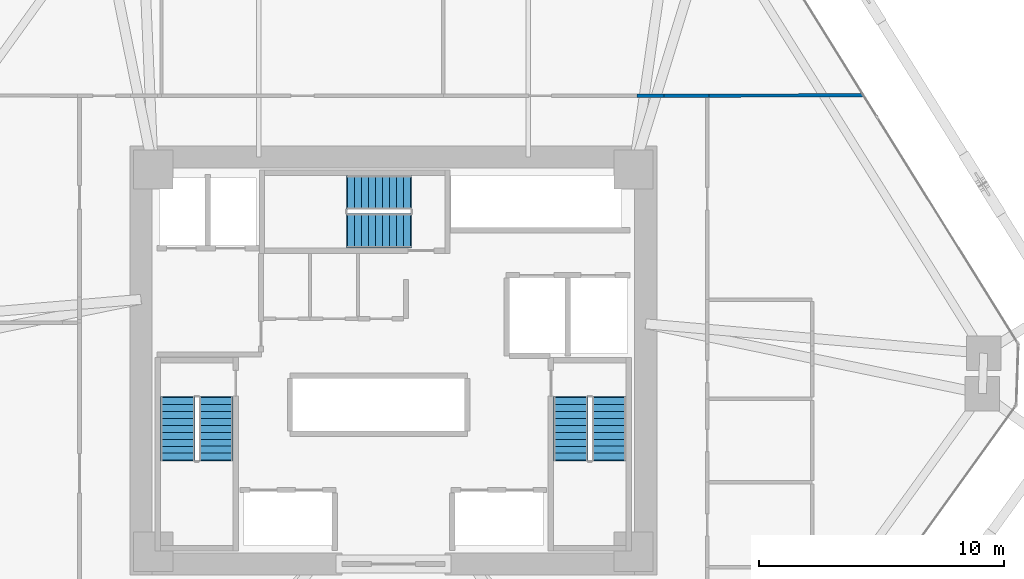
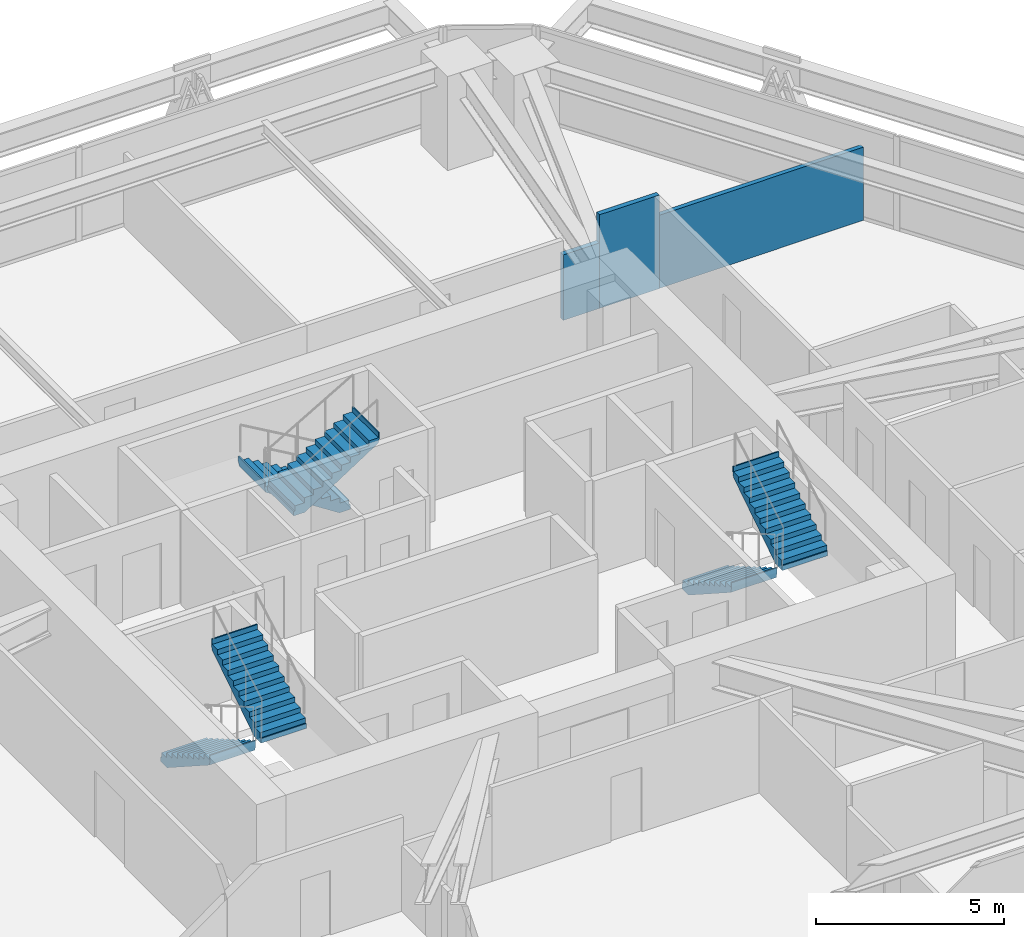
# One storey, part 16 of 17: 6 stair flights, 3 walls, 3 elements without a shape of their own.
"""IFC4 building model written with IfcOpenShell, lengths in metres."""

from ifc_helpers import new_model, si_unit, direction, frame, frame_2d, origin, place, context, subcontext, project, spatial, polyline, rectangle, outline, extrude, material, layer, layer_set, type_object, element, aggregate, save


model = new_model("IFC4")

# Units and contexts
model_context = context("Model", 3, precision=1e-05, world=origin(), true_north=direction((0.0, 1.0)))
body_context = subcontext(model_context, "Body", "Model", "MODEL_VIEW")
ifc_project = project(units=[si_unit("LENGTHUNIT", "METRE"), si_unit("AREAUNIT", "SQUARE_METRE"), si_unit("VOLUMEUNIT", "CUBIC_METRE"), si_unit("PLANEANGLEUNIT", "RADIAN"), si_unit("MASSUNIT", "GRAM", prefix="KILO")], contexts=[model_context])

# Site, building, storey
site_placement = place(None, origin())
site = spatial("IfcSite", under=ifc_project, at=site_placement, CompositionType="ELEMENT")
building_placement = place(site_placement, origin())
building = spatial("IfcBuilding", under=site, at=building_placement, Name="Durnholm Broadcast Tower", CompositionType="ELEMENT")
storey_placement = place(building_placement, frame((0.0, 0.0, 52.199951171875)))
storey = spatial("IfcBuildingStorey", under=building, at=storey_placement, Name="L12", CompositionType="ELEMENT", Elevation=52.199951171875)

# Walls
ifc_material_1 = material(Name="Gypsum Metal Stud Partition", Category="concrete")
ifc_layer_1 = layer(ifc_material_1, 0.135009765625)
ifc_layer_set_1 = layer_set([ifc_layer_1], Name="Gypsum Metal Stud Partition")
wall_type_1 = type_object("IfcWallType", Name="WALL-PART-135", PredefinedType="PARTITIONING", material=ifc_layer_set_1)
wall_1_placement = place(storey_placement, frame((19.18212890625, 10.831298828125, 0.0), z_axis=(0.0, 0.0, 1.0), x_axis=(-0.999994432845, -0.003336806783, 0.0)))
element("IfcWall", 1, at=wall_1_placement, inside=storey, type_object=wall_type_1, Name="L12 room dividing partition 9.17", PredefinedType="PARTITIONING", context=body_context, shape_type="SweptSolid", body=[
    extrude(rectangle(XDim=6.292236328125, YDim=0.135009765625, at=frame_2d((3.14599609375, 0.0))), origin(), (0.0, 0.0, 1.0), 2.380126953125),
])
ifc_material_2 = material(Name="Acoustic Gypsum Stud Partition", Category="concrete")
ifc_layer_2 = layer(ifc_material_2, 0.14990234375)
ifc_layer_set_2 = layer_set([ifc_layer_2], Name="Acoustic Gypsum Stud Partition")
wall_type_2 = type_object("IfcWallType", Name="WALL-PART-150", PredefinedType="PARTITIONING", material=ifc_layer_set_2)
wall_2_placement = place(storey_placement, frame((12.889892578125, 10.81005859375, 0.0), z_axis=(0.0, 0.0, 1.0), x_axis=(-1.0, 0.0, 0.0)))
element("IfcWall", 2, at=wall_2_placement, inside=storey, type_object=wall_type_2, Name="L12 Open Plan Broadcast Workspace 4 corridor partition", PredefinedType="PARTITIONING", context=body_context, shape_type="SweptSolid", body=[
    extrude(rectangle(XDim=1.847412109375, YDim=0.14990234375, at=frame_2d((0.923828125, 0.0))), origin(), (0.0, 0.0, 1.0), 3.045166015625),
])
wall_3_placement = place(storey_placement, frame((11.04248046875, 10.81005859375, 0.0), z_axis=(0.0, 0.0, 1.0), x_axis=(-1.0, 0.0, 0.0)))
element("IfcWall", 3, at=wall_3_placement, inside=storey, type_object=wall_type_2, Name="L12 Open Plan Broadcast Workspace 4 corridor partition", PredefinedType="PARTITIONING", context=body_context, shape_type="SweptSolid", body=[
    extrude(rectangle(XDim=1.109375, YDim=0.14990234375, at=frame_2d((0.5546875, 0.0))), origin(), (0.0, 0.0, 1.0), 2.130126953125),
])

# Stair, stair flights
ifc_material_3 = material(Name="Concrete C50/60", Category="concrete")
stair_type = type_object("IfcStairType", Name="STAIR-DL-20R1650", PredefinedType="HALF_TURN_STAIR", material=ifc_material_3)
stair_1_placement = place(storey_placement, origin())
stair_1 = element("IfcStair", 4, at=stair_1_placement, inside=storey, type_object=stair_type, Name="L12 ST-1", PredefinedType="HALF_TURN_STAIR")
stair_flight_type = type_object("IfcStairFlightType", Name="FLIGHT-DL-20R1650", PredefinedType="STRAIGHT", material=ifc_material_3)
stair_flight_1_placement = place(storey_placement, frame((-8.800048828125, -1.5, 0.0), z_axis=(0.0, 0.0, 1.0), x_axis=(0.0, -1.0, 0.0)))
stair_flight_1 = element("IfcStairFlight", 5, at=stair_flight_1_placement, type_object=stair_flight_type, Name="ST-1 flight 1", NumberOfRisers=10, NumberOfTreads=9, PredefinedType="STRAIGHT", RiserHeight=0.165, TreadLength=0.285, context=body_context, shape_type="SweptSolid", body=[
    extrude(outline(polyline([(-0.0400390625, -0.14990234375), (-0.0400390625, 0.0), (0.0, 0.0), (0.0, 0.1650390625), (0.284912109375, 0.1650390625), (0.284912109375, 0.330078125), (0.570068359375, 0.330078125), (0.570068359375, 0.4951171875), (0.85498046875, 0.4951171875), (0.85498046875, 0.659912109375), (1.139892578125, 0.659912109375), (1.139892578125, 0.824951171875), (1.425048828125, 0.824951171875), (1.425048828125, 0.989990234375), (1.7099609375, 0.989990234375), (1.7099609375, 1.155029296875), (1.9951171875, 1.155029296875), (1.9951171875, 1.320068359375), (2.280029296875, 1.320068359375), (2.280029296875, 1.485107421875), (2.56494140625, 1.485107421875), (2.56494140625, 1.64990234375), (2.60498046875, 1.64990234375), (2.60498046875, 1.5), (2.56494140625, 1.311767578125), (0.299072265625, -0.14990234375), (-0.0400390625, -0.14990234375)])), frame((0.0, 0.699951171875, 0.0), z_axis=(0.0, -1.0, 0.0), x_axis=(1.0, 0.0, 0.0)), (0.0, 0.0, 1.0), 1.39990234375),
])
stair_flight_2_placement = place(storey_placement, frame((-7.239990234375, -4.06494140625, 1.650146484375), z_axis=(0.0, 0.0, 1.0), x_axis=(0.0, 1.0, 0.0)))
stair_flight_2 = element("IfcStairFlight", 6, at=stair_flight_2_placement, type_object=stair_flight_type, Name="ST-1 flight 2", NumberOfRisers=10, NumberOfTreads=9, PredefinedType="STRAIGHT", RiserHeight=0.165, TreadLength=0.285, context=body_context, shape_type="SweptSolid", body=[
    extrude(outline(polyline([(-0.0400390625, -0.14990234375), (-0.0400390625, 0.0), (0.0, 0.0), (0.0, 0.1650390625), (0.284912109375, 0.1650390625), (0.284912109375, 0.330078125), (0.570068359375, 0.330078125), (0.570068359375, 0.4951171875), (0.85498046875, 0.4951171875), (0.85498046875, 0.659912109375), (1.139892578125, 0.659912109375), (1.139892578125, 0.824951171875), (1.425048828125, 0.824951171875), (1.425048828125, 0.989990234375), (1.7099609375, 0.989990234375), (1.7099609375, 1.155029296875), (1.9951171875, 1.155029296875), (1.9951171875, 1.320068359375), (2.280029296875, 1.320068359375), (2.280029296875, 1.485107421875), (2.56494140625, 1.485107421875), (2.56494140625, 1.64990234375), (2.60498046875, 1.64990234375), (2.60498046875, 1.5), (2.56494140625, 1.311767578125), (0.299072265625, -0.14990234375), (-0.0400390625, -0.14990234375)])), frame((0.0, 0.699951171875, 0.0), z_axis=(0.0, -1.0, 0.0), x_axis=(1.0, 0.0, 0.0)), (0.0, 0.0, 1.0), 1.39990234375),
])
aggregate(stair_1, [stair_flight_1, stair_flight_2])

stair_2_placement = place(storey_placement, origin())
stair_2 = element("IfcStair", 7, at=stair_2_placement, inside=storey, type_object=stair_type, Name="L12 ST-2", PredefinedType="HALF_TURN_STAIR")
stair_flight_3_placement = place(storey_placement, frame((7.239990234375, -1.5, 0.0), z_axis=(0.0, 0.0, 1.0), x_axis=(0.0, -1.0, 0.0)))
stair_flight_3 = element("IfcStairFlight", 8, at=stair_flight_3_placement, type_object=stair_flight_type, Name="ST-2 flight 1", NumberOfRisers=10, NumberOfTreads=9, PredefinedType="STRAIGHT", RiserHeight=0.165, TreadLength=0.285, context=body_context, shape_type="SweptSolid", body=[
    extrude(outline(polyline([(-0.0400390625, -0.14990234375), (-0.0400390625, 0.0), (0.0, 0.0), (0.0, 0.1650390625), (0.284912109375, 0.1650390625), (0.284912109375, 0.330078125), (0.570068359375, 0.330078125), (0.570068359375, 0.4951171875), (0.85498046875, 0.4951171875), (0.85498046875, 0.659912109375), (1.139892578125, 0.659912109375), (1.139892578125, 0.824951171875), (1.425048828125, 0.824951171875), (1.425048828125, 0.989990234375), (1.7099609375, 0.989990234375), (1.7099609375, 1.155029296875), (1.9951171875, 1.155029296875), (1.9951171875, 1.320068359375), (2.280029296875, 1.320068359375), (2.280029296875, 1.485107421875), (2.56494140625, 1.485107421875), (2.56494140625, 1.64990234375), (2.60498046875, 1.64990234375), (2.60498046875, 1.5), (2.56494140625, 1.311767578125), (0.299072265625, -0.14990234375), (-0.0400390625, -0.14990234375)])), frame((0.0, 0.699951171875, 0.0), z_axis=(0.0, -1.0, 0.0), x_axis=(1.0, 0.0, 0.0)), (0.0, 0.0, 1.0), 1.39990234375),
])
stair_flight_4_placement = place(storey_placement, frame((8.800048828125, -4.06494140625, 1.650146484375), z_axis=(0.0, 0.0, 1.0), x_axis=(0.0, 1.0, 0.0)))
stair_flight_4 = element("IfcStairFlight", 9, at=stair_flight_4_placement, type_object=stair_flight_type, Name="ST-2 flight 2", NumberOfRisers=10, NumberOfTreads=9, PredefinedType="STRAIGHT", RiserHeight=0.165, TreadLength=0.285, context=body_context, shape_type="SweptSolid", body=[
    extrude(outline(polyline([(-0.0400390625, -0.14990234375), (-0.0400390625, 0.0), (0.0, 0.0), (0.0, 0.1650390625), (0.284912109375, 0.1650390625), (0.284912109375, 0.330078125), (0.570068359375, 0.330078125), (0.570068359375, 0.4951171875), (0.85498046875, 0.4951171875), (0.85498046875, 0.659912109375), (1.139892578125, 0.659912109375), (1.139892578125, 0.824951171875), (1.425048828125, 0.824951171875), (1.425048828125, 0.989990234375), (1.7099609375, 0.989990234375), (1.7099609375, 1.155029296875), (1.9951171875, 1.155029296875), (1.9951171875, 1.320068359375), (2.280029296875, 1.320068359375), (2.280029296875, 1.485107421875), (2.56494140625, 1.485107421875), (2.56494140625, 1.64990234375), (2.60498046875, 1.64990234375), (2.60498046875, 1.5), (2.56494140625, 1.311767578125), (0.299072265625, -0.14990234375), (-0.0400390625, -0.14990234375)])), frame((0.0, 0.699951171875, 0.0), z_axis=(0.0, -1.0, 0.0), x_axis=(1.0, 0.0, 0.0)), (0.0, 0.0, 1.0), 1.39990234375),
])
aggregate(stair_2, [stair_flight_3, stair_flight_4])

stair_3_placement = place(storey_placement, origin())
stair_3 = element("IfcStair", 10, at=stair_3_placement, inside=storey, type_object=stair_type, Name="L12 ST-3", PredefinedType="HALF_TURN_STAIR")
stair_flight_5_placement = place(storey_placement, frame((0.699951171875, 6.860107421875, 0.0), z_axis=(0.0, 0.0, 1.0), x_axis=(-1.0, 0.0, 0.0)))
stair_flight_5 = element("IfcStairFlight", 11, at=stair_flight_5_placement, type_object=stair_flight_type, Name="ST-3 flight 1", NumberOfRisers=10, NumberOfTreads=9, PredefinedType="STRAIGHT", RiserHeight=0.165, TreadLength=0.285, context=body_context, shape_type="SweptSolid", body=[
    extrude(outline(polyline([(-0.0400390625, -0.14990234375), (-0.0400390625, 0.0), (0.0, 0.0), (0.0, 0.1650390625), (0.284912109375, 0.1650390625), (0.284912109375, 0.330078125), (0.570068359375, 0.330078125), (0.570068359375, 0.4951171875), (0.85498046875, 0.4951171875), (0.85498046875, 0.659912109375), (1.139892578125, 0.659912109375), (1.139892578125, 0.824951171875), (1.425048828125, 0.824951171875), (1.425048828125, 0.989990234375), (1.7099609375, 0.989990234375), (1.7099609375, 1.155029296875), (1.9951171875, 1.155029296875), (1.9951171875, 1.320068359375), (2.280029296875, 1.320068359375), (2.280029296875, 1.485107421875), (2.56494140625, 1.485107421875), (2.56494140625, 1.64990234375), (2.60498046875, 1.64990234375), (2.60498046875, 1.5), (2.56494140625, 1.311767578125), (0.299072265625, -0.14990234375), (-0.0400390625, -0.14990234375)])), frame((0.0, 0.699951171875, 0.0), z_axis=(0.0, -1.0, 0.0), x_axis=(1.0, 0.0, 0.0)), (0.0, 0.0, 1.0), 1.39990234375),
])
stair_flight_6_placement = place(storey_placement, frame((-1.864990234375, 5.300048828125, 1.650146484375), z_axis=(0.0, 0.0, 1.0), x_axis=(1.0, 0.0, 0.0)))
stair_flight_6 = element("IfcStairFlight", 12, at=stair_flight_6_placement, type_object=stair_flight_type, Name="ST-3 flight 2", NumberOfRisers=10, NumberOfTreads=9, PredefinedType="STRAIGHT", RiserHeight=0.165, TreadLength=0.285, context=body_context, shape_type="SweptSolid", body=[
    extrude(outline(polyline([(-0.0400390625, -0.14990234375), (-0.0400390625, 0.0), (0.0, 0.0), (0.0, 0.1650390625), (0.284912109375, 0.1650390625), (0.284912109375, 0.330078125), (0.570068359375, 0.330078125), (0.570068359375, 0.4951171875), (0.85498046875, 0.4951171875), (0.85498046875, 0.659912109375), (1.139892578125, 0.659912109375), (1.139892578125, 0.824951171875), (1.425048828125, 0.824951171875), (1.425048828125, 0.989990234375), (1.7099609375, 0.989990234375), (1.7099609375, 1.155029296875), (1.9951171875, 1.155029296875), (1.9951171875, 1.320068359375), (2.280029296875, 1.320068359375), (2.280029296875, 1.485107421875), (2.56494140625, 1.485107421875), (2.56494140625, 1.64990234375), (2.60498046875, 1.64990234375), (2.60498046875, 1.5), (2.56494140625, 1.311767578125), (0.299072265625, -0.14990234375), (-0.0400390625, -0.14990234375)])), frame((0.0, 0.699951171875, 0.0), z_axis=(0.0, -1.0, 0.0), x_axis=(1.0, 0.0, 0.0)), (0.0, 0.0, 1.0), 1.39990234375),
])
aggregate(stair_3, [stair_flight_5, stair_flight_6])

save(model, "model.ifc")
